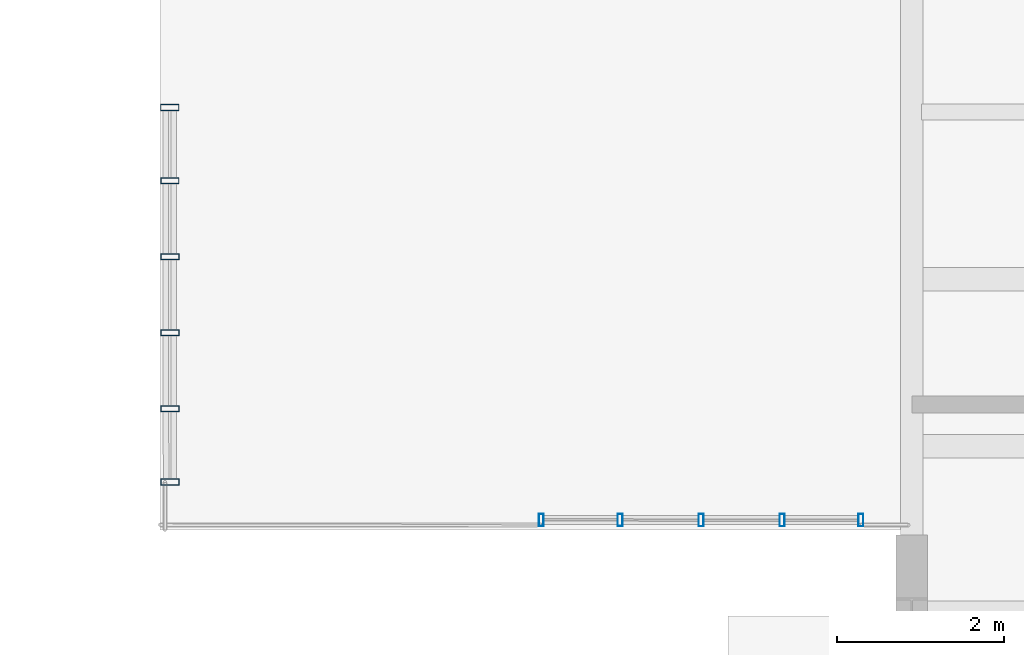
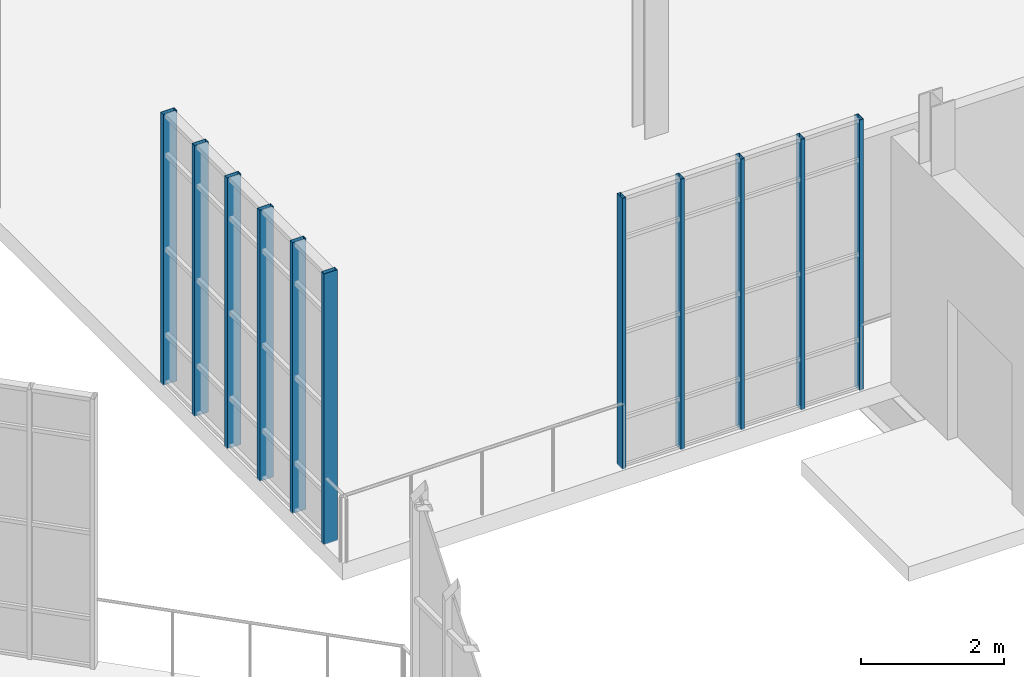
# One storey, part 69 of 189: 11 members, 2 elements without a shape of their own.
"""IFC4 building model written with IfcOpenShell, lengths in metres."""

from ifc_helpers import new_model, si_unit, direction, frame, origin, origin_2d, place, context, subcontext, project, spatial, hollow_rectangle, extrude, material, layer, layer_set, material_profile, profile_set, type_object, element, aggregate, save


model = new_model("IFC4")

# Units and contexts
model_context = context("Model", 3, precision=1e-05, world=origin(), true_north=direction((0.0, 1.0)))
body_context = subcontext(model_context, "Body", "Model", "MODEL_VIEW")
ifc_project = project(units=[si_unit("LENGTHUNIT", "METRE"), si_unit("AREAUNIT", "SQUARE_METRE"), si_unit("VOLUMEUNIT", "CUBIC_METRE"), si_unit("PLANEANGLEUNIT", "RADIAN"), si_unit("MASSUNIT", "GRAM", prefix="KILO"), si_unit("THERMODYNAMICTEMPERATUREUNIT", "KELVIN"), si_unit("POWERUNIT", "WATT")], contexts=[model_context])

# Site, building, storey
site_placement = place(None, origin())
site = spatial("IfcSite", under=ifc_project, at=site_placement, CompositionType="ELEMENT")
building_placement = place(site_placement, origin())
building = spatial("IfcBuilding", under=site, at=building_placement, Name="Zelmaris Science Centre", CompositionType="ELEMENT")
storey_placement = place(building_placement, origin())
storey = spatial("IfcBuildingStorey", under=building, at=storey_placement, Name="L00", CompositionType="ELEMENT", Elevation=0.0)

# Curtain wall, members
ifc_material = material(Name="Anodised architectural aluminium 6063-T6", Category="aluminium")
ifc_layer_1 = layer(ifc_material, 0.219970703125, Name="Anodised architectural aluminium 6063-T6")
ifc_layer_set_1 = layer_set([ifc_layer_1], Name="Anodised architectural aluminium 6063-T6")
curtain_wall_type_1 = type_object("IfcCurtainWallType", Name="Curtain Wall CW-04", PredefinedType="USERDEFINED", material=ifc_layer_set_1)
curtain_wall_1_placement = place(storey_placement, origin())
curtain_wall_1 = element("IfcCurtainWall", 1, at=curtain_wall_1_placement, inside=storey, type_object=curtain_wall_type_1, Name="L00 Unitised curtain wall 72", ObjectType="GLAZED CURTAIN WALL", PredefinedType="USERDEFINED")
ifc_material_profile_1 = material_profile(ifc_material, hollow_rectangle(XDim=0.06005859375, YDim=0.14990234375, WallThickness=0.00341796875, at=origin_2d()), Name="ALU-MUL-60X150")
ifc_profile_set_1 = profile_set([ifc_material_profile_1], Name="Anodised architectural aluminium 6063-T6")
member_type_1 = type_object("IfcMemberType", Name="ALU-MUL-60X150", PredefinedType="MULLION", material=ifc_profile_set_1)
member_1_placement = place(storey_placement, frame((107.391357421875, 49.11767578125, -0.014892578125), z_axis=(0.0, 0.0, 1.0), x_axis=(-0.999999955983, 0.000296705968, 0.0)))
member_1 = element("IfcMember", 2, at=member_1_placement, type_object=member_type_1, Name="CW-04 mullion 1", PredefinedType="MULLION", context=body_context, shape_type="SweptSolid", body=[
    extrude(hollow_rectangle(XDim=0.06005859375, YDim=0.14990234375, WallThickness=0.00341796875, at=origin_2d()), origin(), (0.0, 0.0, 1.0), 4.614990234375),
])
member_2_placement = place(storey_placement, frame((106.44775390625, 49.117919921875, -0.014892578125), z_axis=(0.0, 0.0, 1.0), x_axis=(-0.999999955983, 0.000296705968, 0.0)))
member_2 = element("IfcMember", 3, at=member_2_placement, type_object=member_type_1, Name="CW-04 mullion 2", PredefinedType="MULLION", context=body_context, shape_type="SweptSolid", body=[
    extrude(hollow_rectangle(XDim=0.06005859375, YDim=0.14990234375, WallThickness=0.00341796875, at=origin_2d()), origin(), (0.0, 0.0, 1.0), 4.614990234375),
])
member_3_placement = place(storey_placement, frame((105.47802734375, 49.1181640625, -0.014892578125), z_axis=(0.0, 0.0, 1.0), x_axis=(-0.999999955983, 0.000296705968, 0.0)))
member_3 = element("IfcMember", 4, at=member_3_placement, type_object=member_type_1, Name="CW-04 mullion 3", PredefinedType="MULLION", context=body_context, shape_type="SweptSolid", body=[
    extrude(hollow_rectangle(XDim=0.06005859375, YDim=0.14990234375, WallThickness=0.00341796875, at=origin_2d()), origin(), (0.0, 0.0, 1.0), 4.614990234375),
])
member_4_placement = place(storey_placement, frame((104.50830078125, 49.118408203125, -0.014892578125), z_axis=(0.0, 0.0, 1.0), x_axis=(-0.999999955983, 0.000296705968, 0.0)))
member_4 = element("IfcMember", 5, at=member_4_placement, type_object=member_type_1, Name="CW-04 mullion 4", PredefinedType="MULLION", context=body_context, shape_type="SweptSolid", body=[
    extrude(hollow_rectangle(XDim=0.06005859375, YDim=0.14990234375, WallThickness=0.00341796875, at=origin_2d()), origin(), (0.0, 0.0, 1.0), 4.614990234375),
])
member_5_placement = place(storey_placement, frame((103.564697265625, 49.11865234375, -0.014892578125), z_axis=(0.0, 0.0, 1.0), x_axis=(-0.999999955983, 0.000296705968, 0.0)))
member_5 = element("IfcMember", 6, at=member_5_placement, type_object=member_type_1, Name="CW-04 mullion 5", PredefinedType="MULLION", context=body_context, shape_type="SweptSolid", body=[
    extrude(hollow_rectangle(XDim=0.06005859375, YDim=0.14990234375, WallThickness=0.00341796875, at=origin_2d()), origin(), (0.0, 0.0, 1.0), 4.614990234375),
])
aggregate(curtain_wall_1, [member_1, member_2, member_3, member_4, member_5])

ifc_layer_2 = layer(ifc_material, 0.199951171875, Name="Anodised architectural aluminium 6063-T6")
ifc_layer_set_2 = layer_set([ifc_layer_2], Name="Anodised architectural aluminium 6063-T6")
curtain_wall_type_2 = type_object("IfcCurtainWallType", Name="Curtain Wall CW-02", PredefinedType="USERDEFINED", material=ifc_layer_set_2)
curtain_wall_2_placement = place(storey_placement, origin())
curtain_wall_2 = element("IfcCurtainWall", 7, at=curtain_wall_2_placement, inside=storey, type_object=curtain_wall_type_2, Name="L00 Unitised curtain wall 74", ObjectType="GLAZED CURTAIN WALL", PredefinedType="USERDEFINED")
ifc_material_profile_2 = material_profile(ifc_material, hollow_rectangle(XDim=0.074951171875, YDim=0.219970703125, WallThickness=0.0048828125, at=origin_2d()), Name="ALU-MUL-75X220")
ifc_profile_set_2 = profile_set([ifc_material_profile_2], Name="Anodised architectural aluminium 6063-T6")
member_type_2 = type_object("IfcMemberType", Name="ALU-MUL-75X220", PredefinedType="MULLION", material=ifc_profile_set_2)
member_6_placement = place(storey_placement, frame((99.119873046875, 49.57373046875, -0.014892578125), z_axis=(0.0, 0.0, 1.0), x_axis=(-0.000478220197, 0.999999885653, 0.0)))
member_6 = element("IfcMember", 8, at=member_6_placement, type_object=member_type_2, Name="CW-02 mullion 1", PredefinedType="MULLION", context=body_context, shape_type="SweptSolid", body=[
    extrude(hollow_rectangle(XDim=0.074951171875, YDim=0.219970703125, WallThickness=0.0048828125, at=origin_2d()), origin(), (0.0, 0.0, 1.0), 4.614990234375),
])
member_7_placement = place(storey_placement, frame((99.119384765625, 50.4501953125, -0.014892578125), z_axis=(0.0, 0.0, 1.0), x_axis=(-0.000478220197, 0.999999885653, 0.0)))
member_7 = element("IfcMember", 9, at=member_7_placement, type_object=member_type_2, Name="CW-02 mullion 2", PredefinedType="MULLION", context=body_context, shape_type="SweptSolid", body=[
    extrude(hollow_rectangle(XDim=0.074951171875, YDim=0.219970703125, WallThickness=0.0048828125, at=origin_2d()), origin(), (0.0, 0.0, 1.0), 4.614990234375),
])
member_8_placement = place(storey_placement, frame((99.118896484375, 51.35986328125, -0.014892578125), z_axis=(0.0, 0.0, 1.0), x_axis=(-0.000478220197, 0.999999885653, 0.0)))
member_8 = element("IfcMember", 10, at=member_8_placement, type_object=member_type_2, Name="CW-02 mullion 3", PredefinedType="MULLION", context=body_context, shape_type="SweptSolid", body=[
    extrude(hollow_rectangle(XDim=0.074951171875, YDim=0.219970703125, WallThickness=0.0048828125, at=origin_2d()), origin(), (0.0, 0.0, 1.0), 4.614990234375),
])
member_9_placement = place(storey_placement, frame((99.118408203125, 52.269775390625, -0.014892578125), z_axis=(0.0, 0.0, 1.0), x_axis=(-0.000478220197, 0.999999885653, 0.0)))
member_9 = element("IfcMember", 11, at=member_9_placement, type_object=member_type_2, Name="CW-02 mullion 4", PredefinedType="MULLION", context=body_context, shape_type="SweptSolid", body=[
    extrude(hollow_rectangle(XDim=0.074951171875, YDim=0.219970703125, WallThickness=0.0048828125, at=origin_2d()), origin(), (0.0, 0.0, 1.0), 4.614990234375),
])
member_10_placement = place(storey_placement, frame((99.117919921875, 53.1796875, -0.014892578125), z_axis=(0.0, 0.0, 1.0), x_axis=(-0.000478220197, 0.999999885653, 0.0)))
member_10 = element("IfcMember", 12, at=member_10_placement, type_object=member_type_2, Name="CW-02 mullion 5", PredefinedType="MULLION", context=body_context, shape_type="SweptSolid", body=[
    extrude(hollow_rectangle(XDim=0.074951171875, YDim=0.219970703125, WallThickness=0.0048828125, at=origin_2d()), origin(), (0.0, 0.0, 1.0), 4.614990234375),
])
member_11_placement = place(storey_placement, frame((99.11767578125, 54.05615234375, -0.014892578125), z_axis=(0.0, 0.0, 1.0), x_axis=(-0.000478220197, 0.999999885653, 0.0)))
member_11 = element("IfcMember", 13, at=member_11_placement, type_object=member_type_2, Name="CW-02 mullion 6", PredefinedType="MULLION", context=body_context, shape_type="SweptSolid", body=[
    extrude(hollow_rectangle(XDim=0.074951171875, YDim=0.219970703125, WallThickness=0.0048828125, at=origin_2d()), origin(), (0.0, 0.0, 1.0), 4.614990234375),
])
aggregate(curtain_wall_2, [member_6, member_7, member_8, member_9, member_10, member_11])

save(model, "model.ifc")
